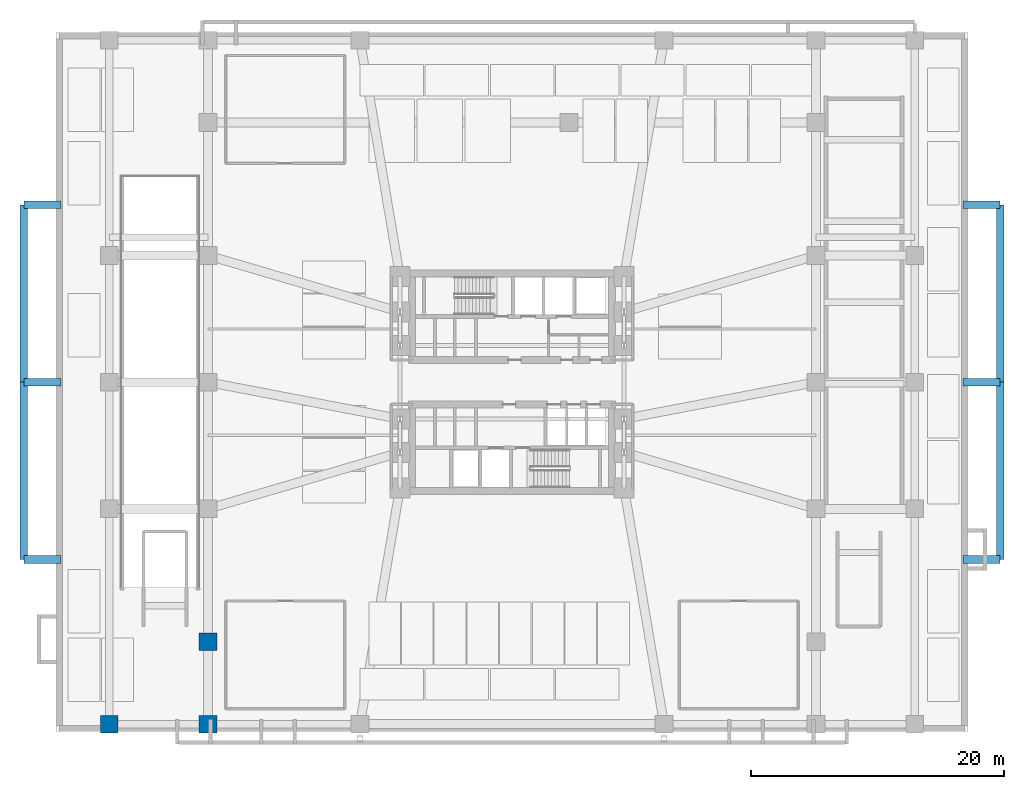
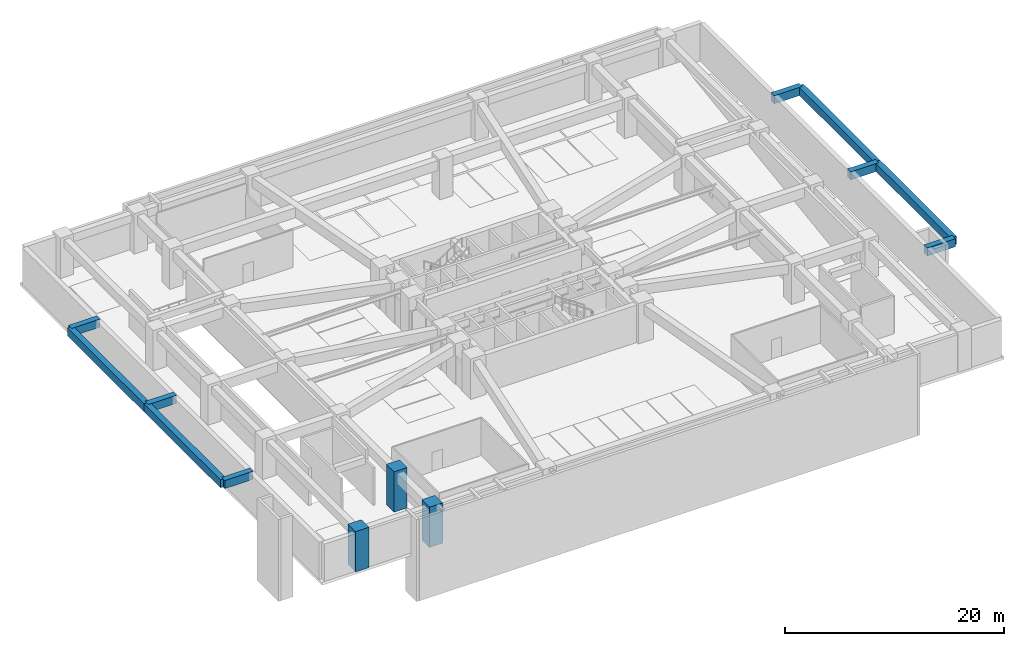
# One storey, part 1 of 13: 10 footings, 3 columns.
"""IFC4 building model written with IfcOpenShell, lengths in metres."""

from ifc_helpers import new_model, si_unit, direction, frame, origin, origin_2d, place, context, subcontext, project, spatial, rectangle, extrude, material, material_profile, profile_set, type_object, element, save


model = new_model("IFC4")

# Units and contexts
model_context = context("Model", 3, precision=1e-05, world=origin(), true_north=direction((0.0, 1.0)))
body_context = subcontext(model_context, "Body", "Model", "MODEL_VIEW")
ifc_project = project(units=[si_unit("LENGTHUNIT", "METRE"), si_unit("AREAUNIT", "SQUARE_METRE"), si_unit("VOLUMEUNIT", "CUBIC_METRE"), si_unit("PLANEANGLEUNIT", "RADIAN"), si_unit("MASSUNIT", "GRAM", prefix="KILO")], contexts=[model_context])

# Site, building, storey
site_placement = place(None, origin())
site = spatial("IfcSite", under=ifc_project, at=site_placement, CompositionType="ELEMENT")
building_placement = place(site_placement, origin())
building = spatial("IfcBuilding", under=site, at=building_placement, Name="Solmarez Civic Tower", CompositionType="ELEMENT")
storey_placement = place(building_placement, frame((0.0, 0.0, -4.5)))
storey = spatial("IfcBuildingStorey", under=building, at=storey_placement, Name="B1", CompositionType="ELEMENT", Elevation=-4.5)

# Footings
ifc_material_1 = material(Name="Concrete C50/60", Category="concrete")
ifc_material_profile_1 = material_profile(ifc_material_1, rectangle(XDim=0.60009765625, YDim=0.89990234375, at=origin_2d()), Name="RC600X900")
ifc_profile_set_1 = profile_set([ifc_material_profile_1], Name="Concrete C50/60")
footing_type = type_object("IfcFootingType", Name="TIE-BEAM-RC600X900", PredefinedType="FOOTING_BEAM", material=ifc_profile_set_1)
for number, where, z_axis, x_axis, name in (
    (1, (-38.550048828125, -14.0, 3.75), (0.0, 1.0, 0.0), (-1.0, 0.0, 0.0), "Foundation Ground Tie Beam FB-W1"),
    (2, (-38.550048828125, 0.0, 3.75), (0.0, 1.0, 0.0), (-1.0, 0.0, 0.0), "Foundation Ground Tie Beam FB-W2"),
):
    element("IfcFooting", number, at=place(storey_placement, frame(where, z_axis=z_axis, x_axis=x_axis)), inside=storey, type_object=footing_type, Name=name, PredefinedType="FOOTING_BEAM", context=body_context, shape_type="SweptSolid", body=[
        extrude(rectangle(XDim=0.60009765625, YDim=0.89990234375, at=origin_2d()), origin(), (0.0, 0.0, 1.0), 14.0),
    ])
for number, where, z_axis, x_axis, name in (
    (3, (-38.550048828125, -14.0, 3.75), (1.0, 0.0, 0.0), (0.0, 1.0, 0.0), "Foundation Ground Tie Beam FB-W3"),
    (4, (-38.550048828125, 0.0, 3.75), (1.0, 0.0, 0.0), (0.0, 1.0, 0.0), "Foundation Ground Tie Beam FB-W4"),
    (5, (-38.550048828125, 14.0, 3.75), (1.0, 0.0, 0.0), (0.0, 1.0, 0.0), "Foundation Ground Tie Beam FB-W5"),
):
    element("IfcFooting", number, at=place(storey_placement, frame(where, z_axis=z_axis, x_axis=x_axis)), inside=storey, type_object=footing_type, Name=name, PredefinedType="FOOTING_BEAM", context=body_context, shape_type="SweptSolid", body=[
        extrude(rectangle(XDim=0.60009765625, YDim=0.89990234375, at=origin_2d()), origin(), (0.0, 0.0, 1.0), 2.949951171875),
    ])
for number, where, z_axis, x_axis, name in (
    (6, (38.550048828125, -14.0, 3.75), (0.0, 1.0, 0.0), (-1.0, 0.0, 0.0), "Foundation Ground Tie Beam FB-E1"),
    (7, (38.550048828125, 0.0, 3.75), (0.0, 1.0, 0.0), (-1.0, 0.0, 0.0), "Foundation Ground Tie Beam FB-E2"),
):
    element("IfcFooting", number, at=place(storey_placement, frame(where, z_axis=z_axis, x_axis=x_axis)), inside=storey, type_object=footing_type, Name=name, PredefinedType="FOOTING_BEAM", context=body_context, shape_type="SweptSolid", body=[
        extrude(rectangle(XDim=0.60009765625, YDim=0.89990234375, at=origin_2d()), origin(), (0.0, 0.0, 1.0), 14.0),
    ])
for number, where, z_axis, x_axis, name in (
    (8, (38.550048828125, -14.0, 3.75), (-1.0, 0.0, 0.0), (0.0, -1.0, 0.0), "Foundation Ground Tie Beam FB-E3"),
    (9, (38.550048828125, 0.0, 3.75), (-1.0, 0.0, 0.0), (0.0, -1.0, 0.0), "Foundation Ground Tie Beam FB-E4"),
    (10, (38.550048828125, 14.0, 3.75), (-1.0, 0.0, 0.0), (0.0, -1.0, 0.0), "Foundation Ground Tie Beam FB-E5"),
):
    element("IfcFooting", number, at=place(storey_placement, frame(where, z_axis=z_axis, x_axis=x_axis)), inside=storey, type_object=footing_type, Name=name, PredefinedType="FOOTING_BEAM", context=body_context, shape_type="SweptSolid", body=[
        extrude(rectangle(XDim=0.60009765625, YDim=0.89990234375, at=origin_2d()), origin(), (0.0, 0.0, 1.0), 2.949951171875),
    ])

# Columns
ifc_material_2 = material(Name="Concrete C60/75", Category="concrete")
ifc_material_profile_2 = material_profile(ifc_material_2, rectangle(XDim=1.39990234375, YDim=1.39990234375, at=origin_2d()), Name="RC1400X1400")
ifc_profile_set_2 = profile_set([ifc_material_profile_2], Name="Concrete C60/75")
column_type = type_object("IfcColumnType", Name="COL-RC1400", PredefinedType="COLUMN", material=ifc_profile_set_2)
for number, where, z_axis, x_axis, name in (
    (11, (-31.800048828125, -27.0, 0.0), (0.0, 0.0, 1.0), (1.0, 0.0, 0.0), "B1 Structural Column PC01"),
    (12, (-24.0, -27.0, 0.0), (0.0, 0.0, 1.0), (1.0, 0.0, 0.0), "B1 Structural Column PC02"),
    (13, (-24.0, -20.5, 0.0), (0.0, 0.0, 1.0), (1.0, 0.0, 0.0), "B1 Structural Column PC27"),
):
    element("IfcColumn", number, at=place(storey_placement, frame(where, z_axis=z_axis, x_axis=x_axis)), inside=storey, type_object=column_type, Name=name, PredefinedType="COLUMN", context=body_context, shape_type="SweptSolid", body=[
        extrude(rectangle(XDim=1.39990234375, YDim=1.39990234375, at=origin_2d()), origin(), (0.0, 0.0, 1.0), 4.5),
    ])

save(model, "model.ifc")
